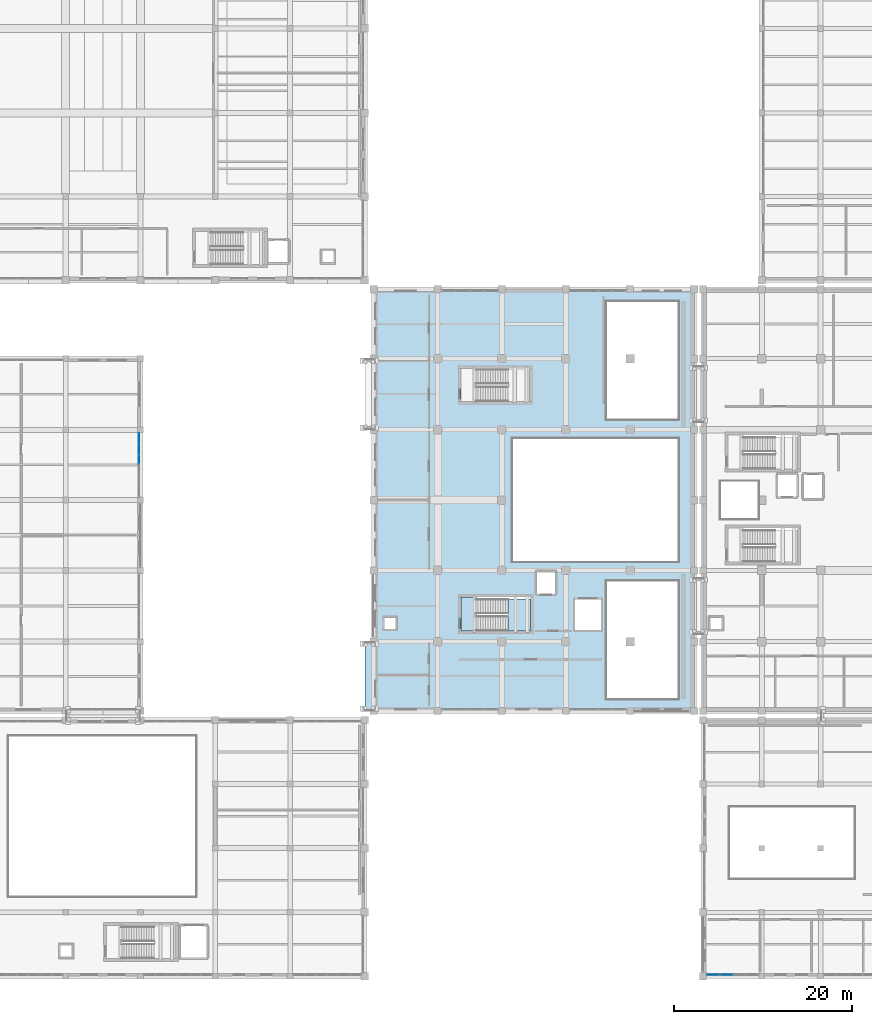
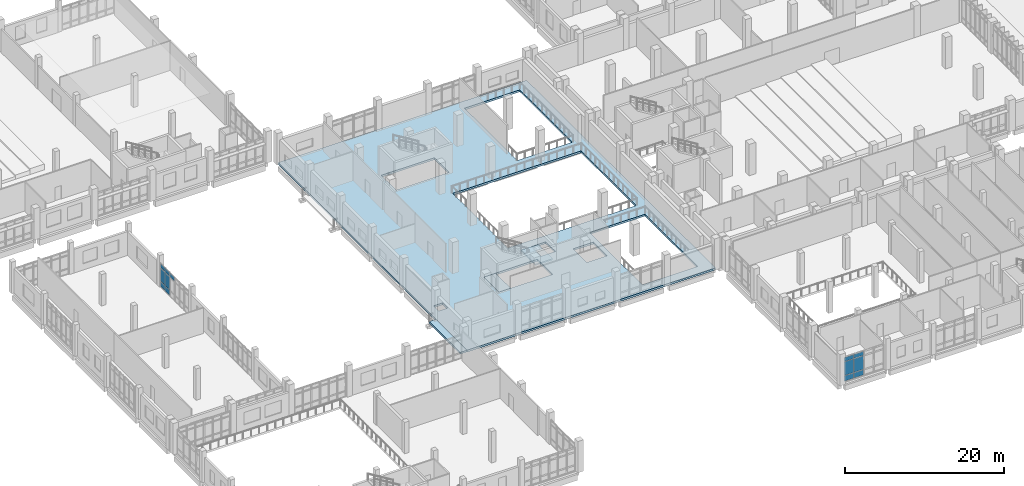
# One storey, part 50 of 90: 13 plates, 4 slabs, 3 elements without a shape of their own.
"""IFC4 building model written with IfcOpenShell, lengths in metres."""

from ifc_helpers import new_model, si_unit, direction, frame, origin, origin_2d, place, context, subcontext, project, spatial, polyline, rectangle, outline, extrude, material, layer, layer_set, type_object, element, aggregate, save


model = new_model("IFC4")

# Units and contexts
model_context = context("Model", 3, precision=1e-05, world=origin(), true_north=direction((0.0, 1.0)))
body_context = subcontext(model_context, "Body", "Model", "MODEL_VIEW")
ifc_project = project(units=[si_unit("LENGTHUNIT", "METRE"), si_unit("AREAUNIT", "SQUARE_METRE"), si_unit("VOLUMEUNIT", "CUBIC_METRE"), si_unit("PLANEANGLEUNIT", "RADIAN"), si_unit("MASSUNIT", "GRAM", prefix="KILO")], contexts=[model_context])

# Site, building, storey
site_placement = place(None, origin())
site = spatial("IfcSite", under=ifc_project, at=site_placement, CompositionType="ELEMENT")
building_placement = place(site_placement, origin())
building = spatial("IfcBuilding", under=site, at=building_placement, Name="Kelarvand Opera House", CompositionType="ELEMENT")
storey_placement = place(building_placement, frame((0.0, 0.0, 5.39990234375)))
storey = spatial("IfcBuildingStorey", under=building, at=storey_placement, Name="L01", CompositionType="ELEMENT", Elevation=5.39990234375)

# Slab
ifc_material_1 = material(Name="Concrete C35/45", Category="concrete")
ifc_layer_1 = layer(ifc_material_1, 0.219970703125, Name="Concrete C35/45", Category="concrete")
ifc_layer_set_1 = layer_set([ifc_layer_1], Name="Concrete C35/45")
slab_type_1 = type_object("IfcSlabType", Name="Core Stair Entry Landing Slab 220", PredefinedType="LANDING", material=ifc_layer_set_1)
slab_1_placement = place(storey_placement, frame((0.0, 0.0, -0.219970703125)))
element("IfcSlab", 1, at=slab_1_placement, inside=storey, type_object=slab_type_1, Name="C2 Stair Entry Landing L01", PredefinedType="LANDING", context=body_context, shape_type="SweptSolid", body=[
    extrude(outline(polyline([(61.800048828125, 47.800048828125), (63.52001953125, 47.800048828125), (63.52001953125, 51.60009765625), (61.800048828125, 51.60009765625), (61.800048828125, 47.800048828125)])), origin(), (0.0, 0.0, 1.0), 0.219970703125),
])

# Curtain wall, plates
ifc_material_2 = material(Name="Thermally broken aluminium and low-E glazing", Category="aluminium")
ifc_layer_2 = layer(ifc_material_2, 0.179931640625, Name="Thermally broken aluminium and low-E glazing", Category="aluminium")
ifc_layer_set_2 = layer_set([ifc_layer_2], Name="Thermally broken aluminium and low-E glazing")
curtain_wall_type_1 = type_object("IfcCurtainWallType", Name="Unitised Low-E Curtain Wall 3611x3650 Mod 1350 CWF-31", PredefinedType="USERDEFINED", material=ifc_layer_set_2)
curtain_wall_1_placement = place(storey_placement, origin())
curtain_wall_1 = element("IfcCurtainWall", 2, at=curtain_wall_1_placement, inside=storey, type_object=curtain_wall_type_1, Name="V4 L01 Curtain Wall CWF-31 (145)", ObjectType="UNITISED CURTAIN WALL", PredefinedType="USERDEFINED")
ifc_material_3 = material(Name="Low-E laminated double glazing", Category="glass")
ifc_layer_3 = layer(ifc_material_3, 0.031982421875, Name="Low-E laminated double glazing", Category="glass")
ifc_layer_set_3 = layer_set([ifc_layer_3], Name="Low-E laminated double glazing")
plate_type = type_object("IfcPlateType", Name="Low-E Argon Double Glazed Curtain Panel 32mm", PredefinedType="CURTAIN_PANEL", material=ifc_layer_set_3)
plate_1_placement = place(storey_placement, frame((25.6201171875, 69.447021484375, 0.06494140625), z_axis=(0.0, 0.0, 1.0), x_axis=(0.0, -1.0, 0.0)))
plate_1 = element("IfcPlate", 3, at=plate_1_placement, type_object=plate_type, Name="CWF-31 panel 1.1", PredefinedType="CURTAIN_PANEL", context=body_context, shape_type="SweptSolid", body=[
    extrude(rectangle(XDim=1.106201171875, YDim=0.031982421875, at=origin_2d()), origin(), (0.0, 0.0, 1.0), 0.802490234375),
])
plate_2_placement = place(storey_placement, frame((25.6201171875, 69.447021484375, 0.9326171875), z_axis=(0.0, 0.0, 1.0), x_axis=(0.0, -1.0, 0.0)))
plate_2 = element("IfcPlate", 4, at=plate_2_placement, type_object=plate_type, Name="CWF-31 panel 1.2", PredefinedType="CURTAIN_PANEL", context=body_context, shape_type="SweptSolid", body=[
    extrude(rectangle(XDim=1.106201171875, YDim=0.031982421875, at=origin_2d()), origin(), (0.0, 0.0, 1.0), 1.985107421875),
])
plate_3_placement = place(storey_placement, frame((25.6201171875, 69.447021484375, 2.982666015625), z_axis=(0.0, 0.0, 1.0), x_axis=(0.0, -1.0, 0.0)))
plate_3 = element("IfcPlate", 5, at=plate_3_placement, type_object=plate_type, Name="CWF-31 panel 1.3", PredefinedType="CURTAIN_PANEL", context=body_context, shape_type="SweptSolid", body=[
    extrude(rectangle(XDim=1.106201171875, YDim=0.031982421875, at=origin_2d()), origin(), (0.0, 0.0, 1.0), 0.6025390625),
])
plate_4_placement = place(storey_placement, frame((25.6201171875, 68.259521484375, 0.06494140625), z_axis=(0.0, 0.0, 1.0), x_axis=(0.0, -1.0, 0.0)))
plate_4 = element("IfcPlate", 6, at=plate_4_placement, type_object=plate_type, Name="CWF-31 panel 2.1", PredefinedType="CURTAIN_PANEL", context=body_context, shape_type="SweptSolid", body=[
    extrude(rectangle(XDim=1.138671875, YDim=0.031982421875, at=origin_2d()), origin(), (0.0, 0.0, 1.0), 0.802490234375),
])
plate_5_placement = place(storey_placement, frame((25.6201171875, 68.259521484375, 0.9326171875), z_axis=(0.0, 0.0, 1.0), x_axis=(0.0, -1.0, 0.0)))
plate_5 = element("IfcPlate", 7, at=plate_5_placement, type_object=plate_type, Name="CWF-31 panel 2.2", PredefinedType="CURTAIN_PANEL", context=body_context, shape_type="SweptSolid", body=[
    extrude(rectangle(XDim=1.138671875, YDim=0.031982421875, at=origin_2d()), origin(), (0.0, 0.0, 1.0), 1.985107421875),
])
plate_6_placement = place(storey_placement, frame((25.6201171875, 68.259521484375, 2.982666015625), z_axis=(0.0, 0.0, 1.0), x_axis=(0.0, -1.0, 0.0)))
plate_6 = element("IfcPlate", 8, at=plate_6_placement, type_object=plate_type, Name="CWF-31 panel 2.3", PredefinedType="CURTAIN_PANEL", context=body_context, shape_type="SweptSolid", body=[
    extrude(rectangle(XDim=1.138671875, YDim=0.031982421875, at=origin_2d()), origin(), (0.0, 0.0, 1.0), 0.6025390625),
])
plate_7_placement = place(storey_placement, frame((25.6201171875, 67.072021484375, 2.982666015625), z_axis=(0.0, 0.0, 1.0), x_axis=(0.0, -1.0, 0.0)))
plate_7 = element("IfcPlate", 9, at=plate_7_placement, type_object=plate_type, Name="CWF-31 panel 3.3", PredefinedType="CURTAIN_PANEL", context=body_context, shape_type="SweptSolid", body=[
    extrude(rectangle(XDim=1.106201171875, YDim=0.031982421875, at=origin_2d()), origin(), (0.0, 0.0, 1.0), 0.6025390625),
])
aggregate(curtain_wall_1, [plate_1, plate_2, plate_3, plate_4, plate_5, plate_6, plate_7])

ifc_layer_4 = layer(ifc_material_2, 0.179931640625, Name="Thermally broken aluminium and low-E glazing", Category="aluminium")
ifc_layer_set_4 = layer_set([ifc_layer_4], Name="Thermally broken aluminium and low-E glazing")
curtain_wall_type_2 = type_object("IfcCurtainWallType", Name="Unitised Low-E Curtain Wall 5845x3750 Mod 1350 CWF-56", PredefinedType="USERDEFINED", material=ifc_layer_set_4)
curtain_wall_2_placement = place(storey_placement, origin())
curtain_wall_2 = element("IfcCurtainWall", 10, at=curtain_wall_2_placement, inside=storey, type_object=curtain_wall_type_2, Name="V6 L01 Curtain Wall CWF-56 (216)", ObjectType="UNITISED CURTAIN WALL", PredefinedType="USERDEFINED")
plate_8_placement = place(storey_placement, frame((91.61181640625, 9.179931640625, 0.06494140625), z_axis=(0.0, 0.0, 1.0), x_axis=(-1.0, 0.0, 0.0)))
plate_8 = element("IfcPlate", 11, at=plate_8_placement, type_object=plate_type, Name="CWF-56 panel 3.1", PredefinedType="CURTAIN_PANEL", context=body_context, shape_type="SweptSolid", body=[
    extrude(rectangle(XDim=1.396240234375, YDim=0.031982421875, at=origin_2d()), origin(), (0.0, 0.0, 1.0), 0.802490234375),
])
plate_9_placement = place(storey_placement, frame((91.61181640625, 9.179931640625, 0.9326171875), z_axis=(0.0, 0.0, 1.0), x_axis=(-1.0, 0.0, 0.0)))
plate_9 = element("IfcPlate", 12, at=plate_9_placement, type_object=plate_type, Name="CWF-56 panel 3.2", PredefinedType="CURTAIN_PANEL", context=body_context, shape_type="SweptSolid", body=[
    extrude(rectangle(XDim=1.396240234375, YDim=0.031982421875, at=origin_2d()), origin(), (0.0, 0.0, 1.0), 2.0849609375),
])
plate_10_placement = place(storey_placement, frame((91.61181640625, 9.179931640625, 3.08251953125), z_axis=(0.0, 0.0, 1.0), x_axis=(-1.0, 0.0, 0.0)))
plate_10 = element("IfcPlate", 13, at=plate_10_placement, type_object=plate_type, Name="CWF-56 panel 3.3", PredefinedType="CURTAIN_PANEL", context=body_context, shape_type="SweptSolid", body=[
    extrude(rectangle(XDim=1.396240234375, YDim=0.031982421875, at=origin_2d()), origin(), (0.0, 0.0, 1.0), 0.6025390625),
])
plate_11_placement = place(storey_placement, frame((90.1669921875, 9.179931640625, 0.06494140625), z_axis=(0.0, 0.0, 1.0), x_axis=(-1.0, 0.0, 0.0)))
plate_11 = element("IfcPlate", 14, at=plate_11_placement, type_object=plate_type, Name="CWF-56 panel 4.1", PredefinedType="CURTAIN_PANEL", context=body_context, shape_type="SweptSolid", body=[
    extrude(rectangle(XDim=1.36376953125, YDim=0.031982421875, at=origin_2d()), origin(), (0.0, 0.0, 1.0), 0.802490234375),
])
plate_12_placement = place(storey_placement, frame((90.1669921875, 9.179931640625, 0.9326171875), z_axis=(0.0, 0.0, 1.0), x_axis=(-1.0, 0.0, 0.0)))
plate_12 = element("IfcPlate", 15, at=plate_12_placement, type_object=plate_type, Name="CWF-56 panel 4.2", PredefinedType="CURTAIN_PANEL", context=body_context, shape_type="SweptSolid", body=[
    extrude(rectangle(XDim=1.36376953125, YDim=0.031982421875, at=origin_2d()), origin(), (0.0, 0.0, 1.0), 2.0849609375),
])
plate_13_placement = place(storey_placement, frame((90.1669921875, 9.179931640625, 3.08251953125), z_axis=(0.0, 0.0, 1.0), x_axis=(-1.0, 0.0, 0.0)))
plate_13 = element("IfcPlate", 16, at=plate_13_placement, type_object=plate_type, Name="CWF-56 panel 4.3", PredefinedType="CURTAIN_PANEL", context=body_context, shape_type="SweptSolid", body=[
    extrude(rectangle(XDim=1.36376953125, YDim=0.031982421875, at=origin_2d()), origin(), (0.0, 0.0, 1.0), 0.6025390625),
])
aggregate(curtain_wall_2, [plate_8, plate_9, plate_10, plate_11, plate_12, plate_13])

# Stair, slab
stair_type = type_object("IfcStairType", Name="Dogleg Concrete Exit Stair 1660mm 28R STA-01", PredefinedType="HALF_TURN_STAIR", material=ifc_material_1)
stair_placement = place(storey_placement, origin())
stair = element("IfcStair", 17, at=stair_placement, inside=storey, type_object=stair_type, Name="L01 Stage House South Firefighting and Goods Core C2 Stair ST-02", PredefinedType="HALF_TURN_STAIR")
ifc_layer_5 = layer(ifc_material_1, 0.199951171875, Name="Concrete C35/45", Category="concrete")
ifc_layer_set_5 = layer_set([ifc_layer_5], Name="Concrete C35/45")
slab_type_2 = type_object("IfcSlabType", Name="Precast Stair Half-Landing Slab 200", PredefinedType="LANDING", material=ifc_layer_set_5)
slab_2_placement = place(storey_placement, frame((0.0, 0.0, 2.2001953125)))
slab_2 = element("IfcSlab", 18, at=slab_2_placement, type_object=slab_type_2, Name="ST-02 landing 1", PredefinedType="LANDING", context=body_context, shape_type="SweptSolid", body=[
    extrude(outline(polyline([(67.10009765625, 47.800048828125), (69.60009765625, 47.800048828125), (69.60009765625, 51.39990234375), (67.10009765625, 51.39990234375), (67.10009765625, 47.800048828125)])), origin(), (0.0, 0.0, 1.0), 0.199951171875),
])
aggregate(stair, [slab_2])

# Slabs
ifc_layer_6 = layer(ifc_material_1, 0.260009765625, Name="Concrete C35/45", Category="concrete")
ifc_layer_set_6 = layer_set([ifc_layer_6], Name="Concrete C35/45")
slab_type_3 = type_object("IfcSlabType", Name="Seismic Bridge Deck Slab 260", PredefinedType="FLOOR", material=ifc_layer_set_6)
slab_3_placement = place(storey_placement, frame((0.0, 0.0, -0.260009765625)))
element("IfcSlab", 19, at=slab_3_placement, inside=storey, type_object=slab_type_3, Name="Seismic Joint Sliding Bridge BR-JW-S L01", PredefinedType="FLOOR", context=body_context, shape_type="SweptSolid", body=[
    extrude(outline(polyline([(51.0, 38.800048828125), (52.0, 38.800048828125), (52.0, 46.60009765625), (51.0, 46.60009765625), (51.0, 38.800048828125)])), origin(), (0.0, 0.0, 1.0), 0.260009765625),
])
ifc_layer_7 = layer(ifc_material_1, 0.300048828125, Name="Concrete C35/45", Category="concrete")
ifc_layer_set_7 = layer_set([ifc_layer_7], Name="Concrete C35/45")
slab_type_4 = type_object("IfcSlabType", Name="Suspended Floor Slab 300", PredefinedType="FLOOR", material=ifc_layer_set_7)
slab_4_placement = place(storey_placement, frame((0.0, 0.0, -0.2998046875)))
element("IfcSlab", 20, at=slab_4_placement, inside=storey, type_object=slab_type_4, Name="V2 L01 Structural Slab 12", PredefinedType="FLOOR", context=body_context, shape_type="SweptSolid", body=[
    extrude(outline(polyline([(88.0, 38.800048828125), (88.0, 86.199951171875), (52.0, 86.199951171875), (52.0, 38.800048828125), (88.0, 38.800048828125)]), holes=[polyline([(86.199951171875, 53.39990234375), (86.199951171875, 40.199951171875), (78.199951171875, 40.199951171875), (78.199951171875, 53.39990234375), (86.199951171875, 53.39990234375)]), polyline([(54.5, 49.300048828125), (54.5, 48.0), (53.199951171875, 48.0), (53.199951171875, 49.300048828125), (54.5, 49.300048828125)]), polyline([(77.550048828125, 51.35009765625), (77.550048828125, 47.89990234375), (74.60009765625, 47.89990234375), (74.60009765625, 51.35009765625), (77.550048828125, 51.35009765625)]), polyline([(69.60009765625, 51.60009765625), (69.60009765625, 47.800048828125), (61.800048828125, 47.800048828125), (61.800048828125, 51.60009765625), (69.60009765625, 51.60009765625)]), polyline([(72.39990234375, 54.39990234375), (72.39990234375, 51.949951171875), (70.300048828125, 51.949951171875), (70.300048828125, 54.39990234375), (72.39990234375, 54.39990234375)]), polyline([(86.199951171875, 69.39990234375), (86.199951171875, 55.60009765625), (67.60009765625, 55.60009765625), (67.60009765625, 69.39990234375), (86.199951171875, 69.39990234375)]), polyline([(69.5, 77.300048828125), (69.5, 73.60009765625), (61.800048828125, 73.60009765625), (61.800048828125, 77.300048828125), (69.5, 77.300048828125)]), polyline([(86.199951171875, 84.800048828125), (86.199951171875, 71.60009765625), (78.199951171875, 71.60009765625), (78.199951171875, 84.800048828125), (86.199951171875, 84.800048828125)])]), origin(), (0.0, 0.0, 1.0), 0.2998046875),
])

save(model, "model.ifc")
